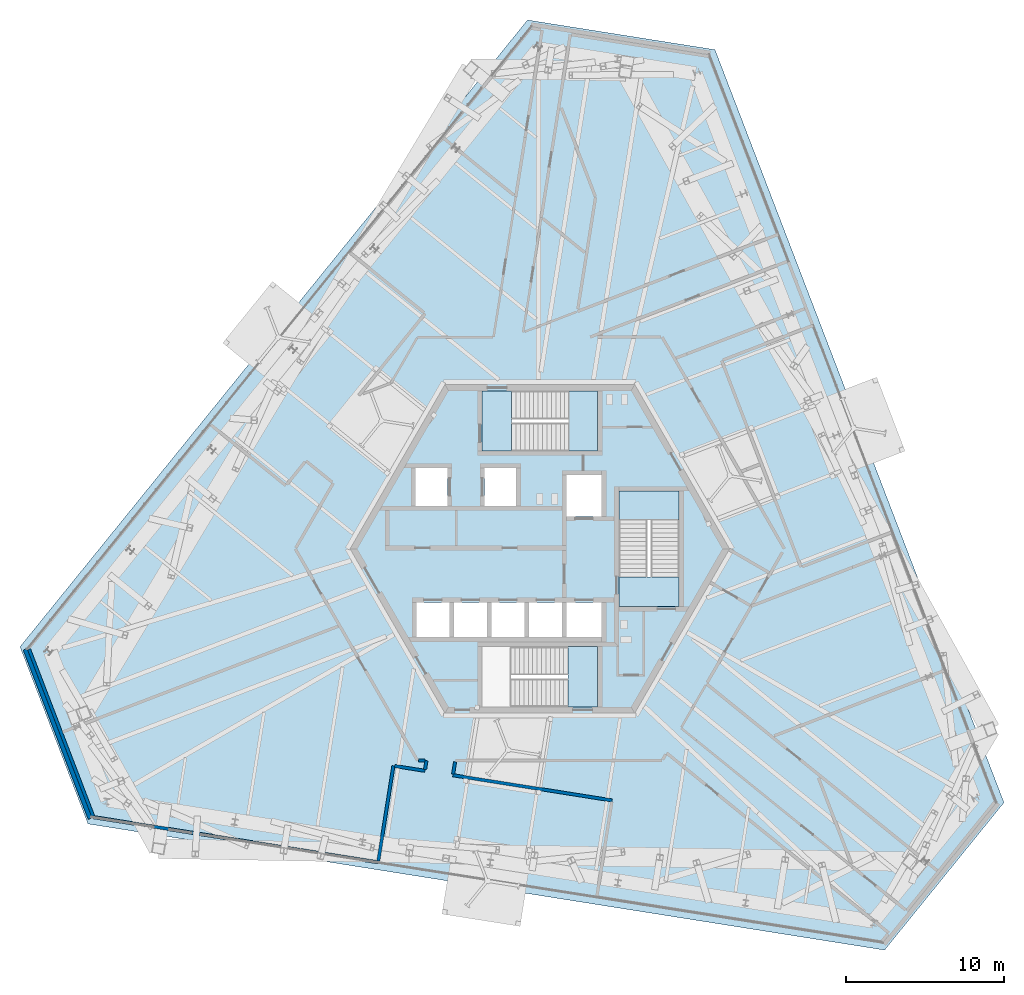
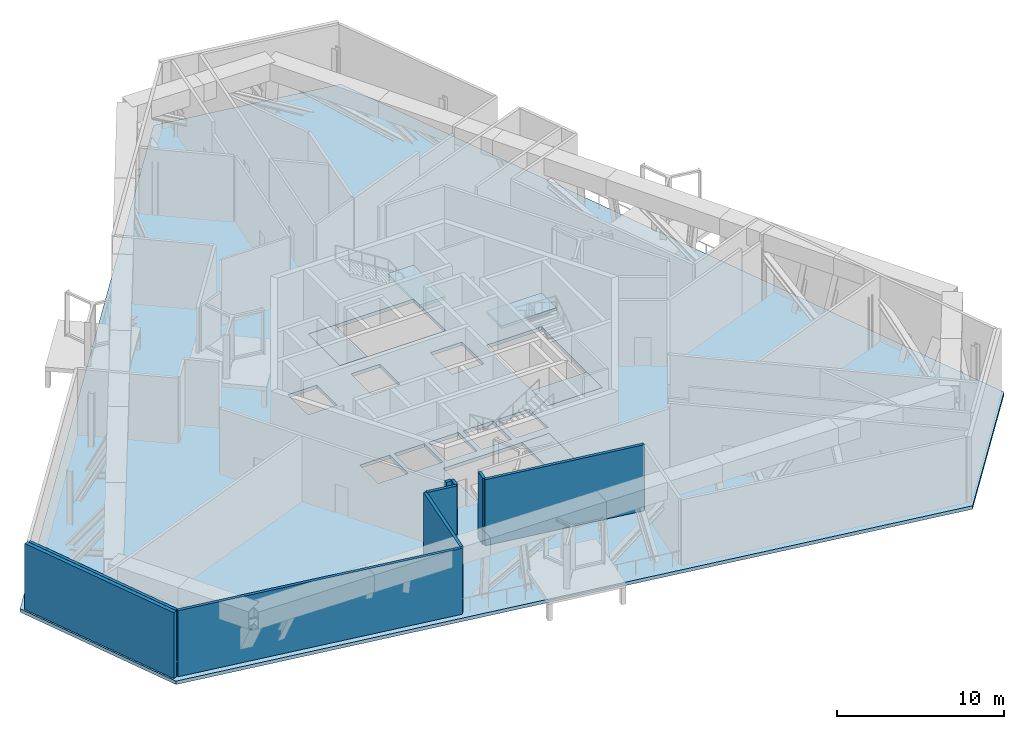
# One storey, part 7 of 14: 9 walls, 6 slabs, 3 elements without a shape of their own.
"""IFC4 building model written with IfcOpenShell, lengths in metres."""

from ifc_helpers import new_model, si_unit, direction, frame, frame_2d, origin, place, context, subcontext, project, spatial, polyline, rectangle, outline, extrude, source, transform, mapped, material, layer, layer_set, type_object, element, aggregate, save


model = new_model("IFC4")

# Units and contexts
model_context = context("Model", 3, precision=1e-05, world=origin(), true_north=direction((0.0, 1.0)))
body_context = subcontext(model_context, "Body", "Model", "MODEL_VIEW")
ifc_project = project(units=[si_unit("LENGTHUNIT", "METRE"), si_unit("AREAUNIT", "SQUARE_METRE"), si_unit("VOLUMEUNIT", "CUBIC_METRE"), si_unit("PLANEANGLEUNIT", "RADIAN"), si_unit("MASSUNIT", "GRAM", prefix="KILO")], contexts=[model_context])

# Site, building, storey
site_placement = place(None, origin())
site = spatial("IfcSite", under=ifc_project, at=site_placement, CompositionType="ELEMENT")
building_placement = place(site_placement, origin())
building = spatial("IfcBuilding", under=site, at=building_placement, Name="Triune Harvest Tower", CompositionType="ELEMENT")
storey_placement = place(building_placement, frame((0.0, 0.0, 174.925048828125)))
storey = spatial("IfcBuildingStorey", under=building, at=storey_placement, Name="L45", CompositionType="ELEMENT", Elevation=174.925048828125)

# Slab
ifc_material_1 = material(Name="Concrete 40 MPa", Category="concrete")
ifc_layer_1 = layer(ifc_material_1, 0.25)
ifc_layer_set_1 = layer_set([ifc_layer_1], Name="Concrete 40 MPa")
slab_type_1 = type_object("IfcSlabType", Name="SL-4 Composite floor slab 250", PredefinedType="FLOOR", material=ifc_layer_set_1)
slab_1_placement = place(storey_placement, frame((0.0, 0.0, -0.25)))
element("IfcSlab", 1, at=slab_1_placement, inside=storey, type_object=slab_type_1, Name="slab/L45/1", PredefinedType="FLOOR", context=body_context, shape_type="SweptSolid", body=[
    extrude(outline(polyline([(29.35107421875, -16.04736328125), (11.07421875, 31.565185546875), (-0.778076171875, 33.4423828125), (-32.873291015625, -6.19189453125), (-28.572998046875, -17.39501953125), (21.799072265625, -25.373291015625), (29.35107421875, -16.04736328125)]), holes=[polyline([(-5.72509765625, -5.590087890625), (-5.72509765625, -3.389892578125), (-7.800048828125, -3.389892578125), (-7.800048828125, -5.590087890625), (-5.72509765625, -5.590087890625)]), polyline([(-3.35009765625, -5.590087890625), (-3.35009765625, -3.389892578125), (-5.425048828125, -3.389892578125), (-5.425048828125, -5.590087890625), (-3.35009765625, -5.590087890625)]), polyline([(-0.97509765625, -5.590087890625), (-0.97509765625, -3.389892578125), (-3.050048828125, -3.389892578125), (-3.050048828125, -5.590087890625), (-0.97509765625, -5.590087890625)]), polyline([(1.39990234375, -5.590087890625), (1.39990234375, -3.389892578125), (-0.675048828125, -3.389892578125), (-0.675048828125, -5.590087890625), (1.39990234375, -5.590087890625)]), polyline([(3.89990234375, 2.06005859375), (3.89990234375, 4.659912109375), (1.699951171875, 4.659912109375), (1.699951171875, 2.06005859375), (3.89990234375, 2.06005859375)]), polyline([(3.89990234375, -5.590087890625), (3.89990234375, -3.389892578125), (1.699951171875, -3.389892578125), (1.699951171875, -5.590087890625), (3.89990234375, -5.590087890625)]), polyline([(-5.85009765625, 2.7099609375), (-5.85009765625, 5.110107421875), (-7.85009765625, 5.110107421875), (-7.85009765625, 2.7099609375), (-5.85009765625, 2.7099609375)]), polyline([(-1.5, 2.7099609375), (-1.5, 5.110107421875), (-3.5, 5.110107421875), (-3.5, 2.7099609375), (-1.5, 2.7099609375)]), polyline([(3.64990234375, 6.18994140625), (3.64990234375, 9.989990234375), (-3.64990234375, 9.989990234375), (-3.64990234375, 6.18994140625), (3.64990234375, 6.18994140625)]), polyline([(3.64990234375, -9.989990234375), (3.64990234375, -6.18994140625), (-3.64990234375, -6.18994140625), (-3.64990234375, -9.989990234375), (3.64990234375, -9.989990234375)]), polyline([(8.800048828125, -3.64990234375), (8.800048828125, 3.64990234375), (5.0, 3.64990234375), (5.0, -3.64990234375), (8.800048828125, -3.64990234375)])]), origin(), (0.0, 0.0, 1.0), 0.25),
])

# Stair, slab
ifc_material_2 = material(Name="Concrete 40 MPa", Category="concrete")
stair_type = type_object("IfcStairType", Name="Exit stair 1800 half turn", PredefinedType="HALF_TURN_STAIR", material=ifc_material_2)
stair_1_placement = place(storey_placement, origin())
stair_1 = element("IfcStair", 2, at=stair_1_placement, inside=storey, type_object=stair_type, Name="Exit stair north", PredefinedType="HALF_TURN_STAIR")
ifc_material_3 = material(Name="Concrete 40 MPa", Category="concrete")
ifc_layer_2 = layer(ifc_material_3, 0.199951171875)
ifc_layer_set_2 = layer_set([ifc_layer_2], Name="Concrete 40 MPa")
slab_type_2 = type_object("IfcSlabType", Name="Stair landing 200", PredefinedType="LANDING", material=ifc_layer_set_2)
slab_2_placement = place(storey_placement, frame((0.0, 0.0, 2.287353515625)))
slab_2 = element("IfcSlab", 3, at=slab_2_placement, type_object=slab_type_2, Name="ST-1 landing 2", PredefinedType="LANDING", context=body_context, shape_type="SweptSolid", body=[
    extrude(outline(polyline([(1.85009765625, 6.18994140625), (3.64990234375, 6.18994140625), (3.64990234375, 9.989990234375), (1.85009765625, 9.989990234375), (1.85009765625, 6.18994140625)])), origin(), (0.0, 0.0, 1.0), 0.2001953125),
])

stair_2_placement = place(storey_placement, origin())
stair_2 = element("IfcStair", 4, at=stair_2_placement, inside=storey, type_object=stair_type, Name="Exit stair east", PredefinedType="HALF_TURN_STAIR")
slab_3_placement = place(storey_placement, frame((0.0, 0.0, 2.287353515625)))
slab_3 = element("IfcSlab", 5, at=slab_3_placement, type_object=slab_type_2, Name="ST-3 landing 2", PredefinedType="LANDING", context=body_context, shape_type="SweptSolid", body=[
    extrude(outline(polyline([(8.800048828125, 1.85009765625), (8.800048828125, 3.64990234375), (5.0, 3.64990234375), (5.0, 1.85009765625), (8.800048828125, 1.85009765625)])), origin(), (0.0, 0.0, 1.0), 0.2001953125),
])

# Slab
shared_shape_1 = source(origin(), body_context, "Body", "SweptSolid", [
    extrude(outline(polyline([(-3.64990234375, 6.18994140625), (-1.780029296875, 6.18994140625), (-1.780029296875, 9.989990234375), (-3.64990234375, 9.989990234375), (-3.64990234375, 6.18994140625)])), origin(), (0.0, 0.0, 1.0), 0.199951171875),
])
slab_4_placement = place(storey_placement, frame((0.0, 0.0, -0.199951171875)))
slab_4 = element("IfcSlab", 6, at=slab_4_placement, type_object=slab_type_2, Name="ST-1 landing 1", PredefinedType="LANDING", context=body_context, shape_type="MappedRepresentation", body=[
    mapped(shared_shape_1, transform((0.0, 0.0, 0.0), scale=1.0)),
])

aggregate(stair_1, [slab_4, slab_2])

# Stair, slab
stair_3_placement = place(storey_placement, origin())
stair_3 = element("IfcStair", 7, at=stair_3_placement, inside=storey, type_object=stair_type, Name="Exit stair south", PredefinedType="HALF_TURN_STAIR")
shared_shape_2 = source(origin(), body_context, "Body", "SweptSolid", [
    extrude(outline(polyline([(3.64990234375, -6.18994140625), (1.780029296875, -6.18994140625), (1.780029296875, -9.989990234375), (3.64990234375, -9.989990234375), (3.64990234375, -6.18994140625)])), origin(), (0.0, 0.0, 1.0), 0.199951171875),
])
slab_5_placement = place(storey_placement, frame((0.0, 0.0, -0.199951171875)))
slab_5 = element("IfcSlab", 8, at=slab_5_placement, type_object=slab_type_2, Name="ST-2 landing 1", PredefinedType="LANDING", context=body_context, shape_type="MappedRepresentation", body=[
    mapped(shared_shape_2, transform((0.0, 0.0, 0.0), scale=1.0)),
])
aggregate(stair_3, [slab_5])

# Slab
shared_shape_3 = source(origin(), body_context, "Body", "SweptSolid", [
    extrude(outline(polyline([(8.800048828125, -3.64990234375), (8.800048828125, -1.780029296875), (5.0, -1.780029296875), (5.0, -3.64990234375), (8.800048828125, -3.64990234375)])), origin(), (0.0, 0.0, 1.0), 0.199951171875),
])
slab_6_placement = place(storey_placement, frame((0.0, 0.0, -0.199951171875)))
slab_6 = element("IfcSlab", 9, at=slab_6_placement, type_object=slab_type_2, Name="ST-3 landing 1", PredefinedType="LANDING", context=body_context, shape_type="MappedRepresentation", body=[
    mapped(shared_shape_3, transform((0.0, 0.0, 0.0), scale=1.0)),
])

aggregate(stair_2, [slab_6, slab_3])

# Walls
ifc_material_4 = material(Name="Gypsum board on steel studs", Category="steel")
ifc_layer_3 = layer(ifc_material_4, 0.199951171875)
ifc_layer_set_3 = layer_set([ifc_layer_3], Name="Gypsum board on steel studs")
wall_type_1 = type_object("IfcWallType", Name="Fire Wall 200 mm", PredefinedType="PARTITIONING", material=ifc_layer_set_3)
wall_1_placement = place(storey_placement, frame((-32.30078125, -6.343994140625, 0.0), z_axis=(0.0, 0.0, 1.0), x_axis=(0.358363997763, -0.933581943435, 0.0)))
element("IfcWall", 10, at=wall_1_placement, inside=storey, type_object=wall_type_1, Name="Partition L45 001", PredefinedType="PARTITIONING", context=body_context, shape_type="SweptSolid", body=[
    extrude(rectangle(XDim=11.3056640625, YDim=0.199951171875, at=frame_2d((5.65283203125, 0.0))), origin(), (0.0, 0.0, 1.0), 4.81494140625),
])
wall_2_placement = place(storey_placement, frame((-9.181396484375, -13.73291015625, 0.0), z_axis=(0.0, 0.0, 1.0), x_axis=(0.987691267191, -0.15641598612, 0.0)))
element("IfcWall", 11, at=wall_2_placement, inside=storey, type_object=wall_type_1, Name="Partition L45 023", PredefinedType="PARTITIONING", context=body_context, shape_type="SweptSolid", body=[
    extrude(rectangle(XDim=1.935546875, YDim=0.199951171875, at=frame_2d((0.9677734375, 0.0))), origin(), (0.0, 0.0, 1.0), 4.81494140625),
])
wall_3_placement = place(storey_placement, frame((-5.497802734375, -14.316162109375, 0.0), z_axis=(0.0, 0.0, 1.0), x_axis=(0.987687286804, -0.156441118268, 0.0)))
element("IfcWall", 12, at=wall_3_placement, inside=storey, type_object=wall_type_1, Name="Partition L45 024", PredefinedType="PARTITIONING", context=body_context, shape_type="SweptSolid", body=[
    extrude(rectangle(XDim=10.190673828125, YDim=0.199951171875, at=frame_2d((5.09521484375, 0.0))), origin(), (0.0, 0.0, 1.0), 4.81494140625),
])
wall_4_placement = place(storey_placement, frame((-5.482421875, -14.23779296875, 0.0), z_axis=(0.0, 0.0, 1.0), x_axis=(0.156640922974, 0.987655618751, 0.0)))
element("IfcWall", 13, at=wall_4_placement, inside=storey, type_object=wall_type_1, Name="Partition L45 055", PredefinedType="PARTITIONING", context=body_context, shape_type="SweptSolid", body=[
    extrude(rectangle(XDim=0.776123046875, YDim=0.199951171875, at=frame_2d((0.38818359375, 0.0))), origin(), (0.0, 0.0, 1.0), 4.81494140625),
])
wall_5_placement = place(storey_placement, frame((-7.260009765625, -13.9560546875, 0.0), z_axis=(0.0, 0.0, 1.0), x_axis=(0.15655561159, 0.98766914525, 0.0)))
element("IfcWall", 14, at=wall_5_placement, inside=storey, type_object=wall_type_1, Name="Partition L45 058", PredefinedType="PARTITIONING", context=body_context, shape_type="SweptSolid", body=[
    extrude(rectangle(XDim=0.57080078125, YDim=0.199951171875, at=frame_2d((0.285400390625, 0.0))), origin(), (0.0, 0.0, 1.0), 4.81494140625),
])
ifc_material_5 = material(Name="Aluminium bronze anodised", Category="aluminium")
ifc_layer_4 = layer(ifc_material_5, 0.260009765625)
ifc_layer_set_4 = layer_set([ifc_layer_4], Name="Aluminium bronze anodised")
wall_type_2 = type_object("IfcWallType", Name="LW-1 plant louvre wall", PredefinedType="ELEMENTEDWALL", material=ifc_layer_set_4)
shared_shape_4 = source(origin(), body_context, "Body", "SweptSolid", [
    extrude(rectangle(XDim=11.4736328125, YDim=0.260009765625, at=frame_2d((5.73681640625, 0.0))), origin(), (0.0, 0.0, 1.0), 4.81494140625),
])
wall_6_placement = place(storey_placement, frame((-32.55029296875, -6.349853515625, 0.0), z_axis=(0.0, 0.0, 1.0), x_axis=(0.358348763329, -0.933587791169, 0.0)))
element("IfcWall", 15, at=wall_6_placement, inside=storey, type_object=wall_type_2, Name="LW-1 plant louvre wall B4-F4 L45", PredefinedType="ELEMENTEDWALL", context=body_context, shape_type="MappedRepresentation", body=[
    mapped(shared_shape_4, transform((0.0, 0.0, 0.0), scale=1.0)),
])
shared_shape_5 = source(origin(), body_context, "Body", "SweptSolid", [
    extrude(rectangle(XDim=18.222900390625, YDim=0.199951171875, at=frame_2d((9.111328125, 0.0))), origin(), (0.0, 0.0, 1.0), 4.81494140625),
])
wall_7_placement = place(storey_placement, frame((-28.22412109375, -16.96435546875, 0.0), z_axis=(0.0, 0.0, 1.0), x_axis=(0.987689205249, -0.156429005731, 0.0)))
element("IfcWall", 16, at=wall_7_placement, inside=storey, type_object=wall_type_1, Name="Partition L45 021", PredefinedType="PARTITIONING", context=body_context, shape_type="MappedRepresentation", body=[
    mapped(shared_shape_5, transform((0.0, 0.0, 0.0), scale=1.0)),
])
shared_shape_6 = source(origin(), body_context, "Body", "SweptSolid", [
    extrude(rectangle(XDim=6.09375, YDim=0.199951171875, at=frame_2d((3.046875, 0.0))), origin(), (0.0, 0.0, 1.0), 4.81494140625),
])
wall_8_placement = place(storey_placement, frame((-10.213623046875, -19.739013671875, 0.0), z_axis=(0.0, 0.0, 1.0), x_axis=(0.156448081293, 0.987686183896, 0.0)))
element("IfcWall", 17, at=wall_8_placement, inside=storey, type_object=wall_type_1, Name="Partition L45 061", PredefinedType="PARTITIONING", context=body_context, shape_type="MappedRepresentation", body=[
    mapped(shared_shape_6, transform((0.0, 0.0, 0.0), scale=1.0)),
])
shared_shape_7 = source(origin(), body_context, "Body", "SweptSolid", [
    extrude(rectangle(XDim=0.391357421875, YDim=0.199951171875, at=frame_2d((0.19580078125, 0.0))), origin(), (0.0, 0.0, 1.0), 4.81494140625),
])
wall_9_placement = place(storey_placement, frame((-7.662109375, -13.392333984375, 0.0), z_axis=(0.0, 0.0, 1.0), x_axis=(1.0, 0.0, 0.0)))
element("IfcWall", 18, at=wall_9_placement, inside=storey, type_object=wall_type_1, Name="Partition L45 027", PredefinedType="PARTITIONING", context=body_context, shape_type="MappedRepresentation", body=[
    mapped(shared_shape_7, transform((0.0, 0.0, 0.0), scale=1.0)),
])

save(model, "model.ifc")
